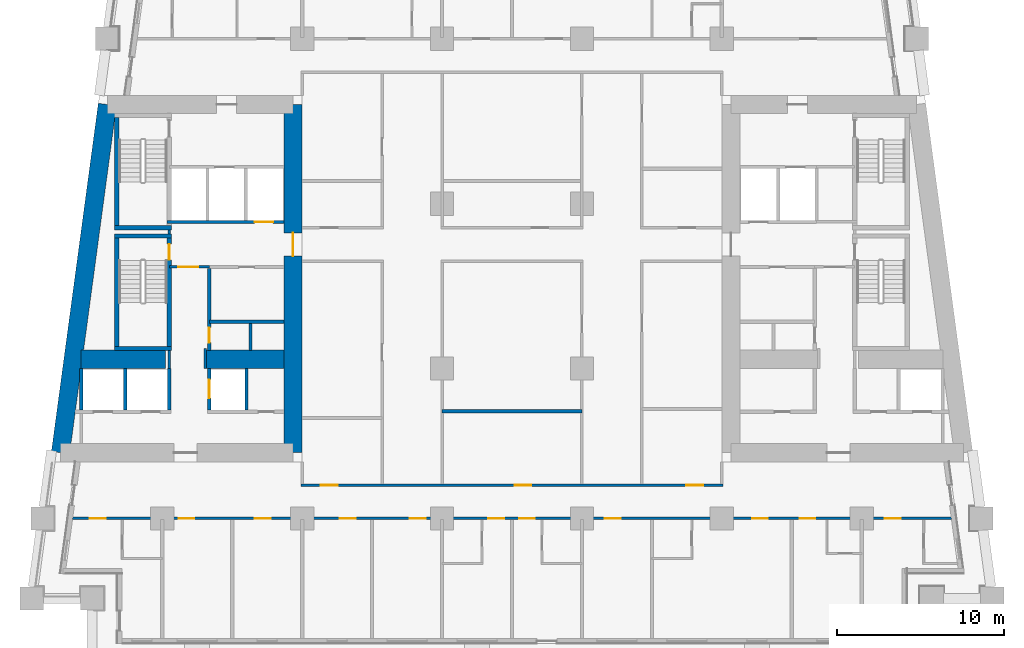
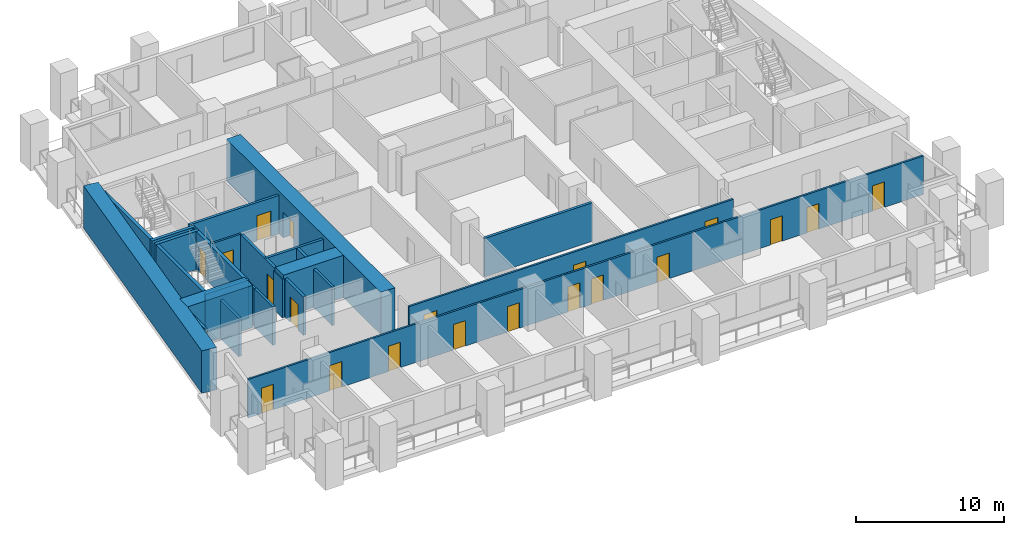
# One storey, part 3 of 12: 26 walls, 20 doors, 20 openings.
"""IFC4 building model written with IfcOpenShell, lengths in metres."""

import ifcopenshell
import ifcopenshell.guid

model = None  # the IFC model being written
_history = None  # IfcOwnerHistory: only IFC2X3 demands one
_inside = {}  # id of a spatial element -> (the spatial element, [elements in it])
_under = {}  # id of a project, library or spatial element -> (it, [spatial elements below it])
_declared = {}  # id of a project -> (the project, [libraries it declares])
_typed = {}  # id of a type object -> (the type object, [elements of that type])
_made_of = {}  # id of a material, layer set ... -> (it, [elements and type objects made of it])


def new_model(schema):
    """Start an empty IFC model of exactly this schema.

    Asked for "IFC4X3", IfcOpenShell would pick the latest addendum, in which some entities
    have other attributes; the version numbers below select the first issue.
    IFC2X3 requires an IfcOwnerHistory on every rooted entity: one is made here for all.
    """
    global model, _history
    if schema == "IFC4X3":
        model = ifcopenshell.file(schema_version=(4, 3, 0, 0))
    else:
        model = ifcopenshell.file(schema=schema)
    _inside.clear()
    _under.clear()
    _declared.clear()
    _typed.clear()
    _made_of.clear()
    _history = None
    if model.schema == "IFC2X3":
        org = make("IfcOrganization", Name="unknown")
        user = make(
            "IfcPersonAndOrganization",
            ThePerson=make("IfcPerson", FamilyName="unknown"),
            TheOrganization=org,
        )
        app = make(
            "IfcApplication",
            ApplicationDeveloper=org,
            Version="unknown",
            ApplicationFullName="unknown",
            ApplicationIdentifier="unknown",
        )
        _history = make(
            "IfcOwnerHistory",
            OwningUser=user,
            OwningApplication=app,
            ChangeAction="ADDED",
            CreationDate=0,
        )
    return model


def make(cls, **values):
    """One entity of the class cls with the attributes given. An attribute that is None is left unset."""
    return model.create_entity(
        cls, **{name: value for name, value in values.items() if value is not None}
    )


def rooted(cls, **values):
    """An entity with a GlobalId (a new one), such as an element, a storey or a relation."""
    return make(cls, GlobalId=ifcopenshell.guid.new(), OwnerHistory=_history, **values)


def si_unit(unit_type, name, prefix=None):
    """IfcSIUnit, for example si_unit("LENGTHUNIT", "METRE", prefix="MILLI")."""
    return make("IfcSIUnit", UnitType=unit_type, Prefix=prefix, Name=name)


def assignment(units):
    """IfcUnitAssignment: the units of a project."""
    return None if units is None else make("IfcUnitAssignment", Units=units)


def point(xyz):
    """IfcCartesianPoint."""
    return None if xyz is None else make("IfcCartesianPoint", Coordinates=xyz)


def direction(xyz):
    """IfcDirection."""
    return None if xyz is None else make("IfcDirection", DirectionRatios=xyz)


def frame(location, z_axis=None, x_axis=None):
    """IfcAxis2Placement3D, a coordinate frame: its origin and axes. An axis left out is left unset."""
    return make(
        "IfcAxis2Placement3D",
        Location=point(location),
        Axis=direction(z_axis),
        RefDirection=direction(x_axis),
    )


def frame_2d(location, x_axis=None):
    """IfcAxis2Placement2D, a coordinate frame in the plane: its origin and x axis."""
    return make(
        "IfcAxis2Placement2D", Location=point(location), RefDirection=direction(x_axis)
    )


def origin():
    """The frame at (0, 0, 0) with its axes left unset."""
    return frame((0.0, 0.0, 0.0))


def place(relative_to, where):
    """IfcLocalPlacement: puts the frame where relative to a parent placement (None: the world)."""
    return make(
        "IfcLocalPlacement", PlacementRelTo=relative_to, RelativePlacement=where
    )


def context(
    kind, dimensions, precision=None, world=None, true_north=None, identifier=None
):
    """IfcGeometricRepresentationContext, for example the 3D "Model" context."""
    return make(
        "IfcGeometricRepresentationContext",
        ContextIdentifier=identifier,
        ContextType=kind,
        CoordinateSpaceDimension=dimensions,
        Precision=precision,
        WorldCoordinateSystem=world,
        TrueNorth=true_north,
    )


def subcontext(parent, identifier, kind, view, scale=None):
    """IfcGeometricRepresentationSubContext, for example "Body" below "Model"."""
    return make(
        "IfcGeometricRepresentationSubContext",
        ContextIdentifier=identifier,
        ContextType=kind,
        ParentContext=parent,
        TargetScale=scale,
        TargetView=view,
    )


def project(units=None, contexts=None):
    """IfcProject with its units and contexts."""
    return rooted(
        "IfcProject",
        Name="project",
        RepresentationContexts=contexts,
        UnitsInContext=assignment(units),
    )


def spatial(cls, under=None, at=None, **own):
    """A site, building, storey or space (cls), placed at a placement, below another one or the project."""
    s = rooted(cls, ObjectPlacement=at, **own)
    if under is not None:
        _under.setdefault(under.id(), (under, []))[1].append(s)
    return s


def profile(cls, at=None, kind="AREA", **sizes):
    """A parametric profile (cls). Its sizes go by their IFC names, for example OverallWidth=200.0."""
    return make(cls, ProfileType=kind, Position=at, **sizes)


def rectangle(**sizes):
    """IfcRectangleProfileDef."""
    return profile("IfcRectangleProfileDef", **sizes)


def extrude(swept, where, along, depth):
    """IfcExtrudedAreaSolid: the profile swept, set in the frame where, extruded along a direction by depth."""
    return make(
        "IfcExtrudedAreaSolid",
        SweptArea=swept,
        Position=where,
        ExtrudedDirection=direction(along),
        Depth=depth,
    )


def shape(context_of_items, identifier, shape_type, items):
    """IfcShapeRepresentation: the items that make up one representation, for example the "Body"."""
    return make(
        "IfcShapeRepresentation",
        ContextOfItems=context_of_items,
        RepresentationIdentifier=identifier,
        RepresentationType=shape_type,
        Items=items,
    )


def material(Name=None, Category=None):
    """IfcMaterial."""
    return make("IfcMaterial", Name=Name, Category=Category)


def layer(
    of_material, thickness, ventilated=None, Name=None, Category=None, Priority=None
):
    """IfcMaterialLayer: one layer of a wall or slab, of a material (None: an air gap)."""
    return make(
        "IfcMaterialLayer",
        Material=of_material,
        LayerThickness=thickness,
        IsVentilated=ventilated,
        Name=Name,
        Category=Category,
        Priority=Priority,
    )


def layer_set(layers, Name=None):
    """IfcMaterialLayerSet."""
    return make("IfcMaterialLayerSet", MaterialLayers=layers, LayerSetName=Name)


def made_of(thing, what):
    """Note that an element or type object is made of a material, layer set ...; save() writes the relation."""
    if what is not None:
        _made_of.setdefault(what.id(), (what, []))[1].append(thing)
    return thing


def type_object(cls, material=None, **own):
    """A type object (cls), such as IfcWallType, which elements share."""
    return made_of(rooted(cls, **own), material)


def element(
    cls,
    number,
    at=None,
    inside=None,
    cuts=None,
    type_object=None,
    material=None,
    context=None,
    identifier="Body",
    shape_type=None,
    held_by="IfcProductDefinitionShape",
    body=None,
    shapes=None,
    **own,
):
    """One element of the class cls, such as IfcWall. Its Tag is "e" and its number.

    at: its placement. inside: the storey or other place that contains it. cuts: it is an
    opening in that element (IfcRelVoidsElement). A single representation is given by context,
    identifier, shape_type and body (its items); several are given by shapes. held_by: the class
    of the entity that holds the representations. save() writes the other relations.
    """
    e = rooted(cls, Tag="e%d" % number, ObjectPlacement=at, **own)
    if body is not None:
        shapes = [shape(context, identifier, shape_type, body)]
    if shapes is not None:
        e.Representation = make(held_by, Representations=shapes)
    if inside is not None:
        _inside.setdefault(inside.id(), (inside, []))[1].append(e)
    if cuts is not None:
        rooted(
            "IfcRelVoidsElement", RelatingBuildingElement=cuts, RelatedOpeningElement=e
        )
    if type_object is not None:
        _typed.setdefault(type_object.id(), (type_object, []))[1].append(e)
    return made_of(e, material)


def fill(opening, filler):
    """IfcRelFillsElement: the door or window that sits in an opening."""
    return rooted(
        "IfcRelFillsElement",
        RelatingOpeningElement=opening,
        RelatedBuildingElement=filler,
    )


def aggregate(whole, parts):
    """IfcRelAggregates: a whole, such as a stair, and the parts it consists of."""
    return rooted("IfcRelAggregates", RelatingObject=whole, RelatedObjects=parts)


def save(model, path):
    """Write the relations noted so far, then the file.

    IfcRelAggregates (storeys below a building ...), IfcRelContainedInSpatialStructure (elements
    in a storey), IfcRelDefinesByType, IfcRelAssociatesMaterial and IfcRelDeclares: one each for
    every whole, place, type object, material and project.
    """
    for whole, parts in _under.values():
        aggregate(whole, parts)
    for where, things in _inside.values():
        rooted(
            "IfcRelContainedInSpatialStructure",
            RelatedElements=things,
            RelatingStructure=where,
        )
    for kind, things in _typed.values():
        rooted("IfcRelDefinesByType", RelatedObjects=things, RelatingType=kind)
    for what, things in _made_of.values():
        rooted("IfcRelAssociatesMaterial", RelatedObjects=things, RelatingMaterial=what)
    for by, libraries in _declared.values():
        rooted("IfcRelDeclares", RelatingContext=by, RelatedDefinitions=libraries)
    model.write(path)


model = new_model("IFC4")

# Units and contexts
model_context = context("Model", 3, precision=1e-05, world=origin(), true_north=direction((0.0, 1.0)))
body_context = subcontext(model_context, "Body", "Model", "MODEL_VIEW")
ifc_project = project(units=[si_unit("LENGTHUNIT", "METRE"), si_unit("AREAUNIT", "SQUARE_METRE"), si_unit("VOLUMEUNIT", "CUBIC_METRE"), si_unit("PLANEANGLEUNIT", "RADIAN"), si_unit("MASSUNIT", "GRAM", prefix="KILO")], contexts=[model_context])

# Site, building, storey
site_placement = place(None, origin())
site = spatial("IfcSite", under=ifc_project, at=site_placement, CompositionType="ELEMENT")
building_placement = place(site_placement, origin())
building = spatial("IfcBuilding", under=site, at=building_placement, Name="Candeia Pilgrim Tower and Theatre", CompositionType="ELEMENT")
storey_placement = place(building_placement, frame((0.0, 0.0, 39.0)))
storey = spatial("IfcBuildingStorey", under=building, at=storey_placement, Name="L06", CompositionType="ELEMENT", Elevation=39.0)

# Wall, opening, door
ifc_material_1 = material(Name="Concrete C80/95", Category="concrete")
ifc_layer_1 = layer(ifc_material_1, 1.10009765625)
ifc_layer_set_1 = layer_set([ifc_layer_1], Name="Core wall 1100 C80/95")
wall_type_1 = type_object("IfcWallType", Name="Core wall 1100 C80/95", PredefinedType="SHEAR", material=ifc_layer_set_1)
wall_1_placement = place(storey_placement, frame((100.25, 131.85009765625, 0.0), z_axis=(0.0, 0.0, 1.0), x_axis=(0.0, -1.0, 0.0)))
wall_1 = element("IfcWall", 1, at=wall_1_placement, inside=storey, type_object=wall_type_1, Name="Core wall W2", PredefinedType="SHEAR", context=body_context, shape_type="SweptSolid", body=[
    extrude(rectangle(XDim=20.900146484375, YDim=1.10009765625, at=frame_2d((10.4501953125, 0.0))), origin(), (0.0, 0.0, 1.0), 3.5),
])
opening_1_placement = place(wall_1_placement, frame((7.699951171875, 0.0, 0.0)))
opening_1 = element("IfcOpeningElement", 2, at=opening_1_placement, cuts=wall_1, Name="Opening L06-D055", PredefinedType="OPENING", context=body_context, shape_type="SweptSolid", body=[
    extrude(rectangle(XDim=1.39990234375, YDim=2.10009765625, at=frame_2d((0.699951171875, 1.050048828125))), frame((0.0, 0.56005859375, 0.0), z_axis=(0.0, -1.0, 0.0), x_axis=(1.0, 0.0, 0.0)), (0.0, 0.0, 1.0), 1.1201171875),
])
ifc_material_2 = material(Name="Steel fire door set", Category="steel")
door_type_1 = type_object("IfcDoorType", Name="D-1400-FD60", OperationType="NOTDEFINED", PredefinedType="DOOR", material=ifc_material_2)
door_1_placement = place(opening_1_placement, origin())
door_1 = element("IfcDoor", 3, at=door_1_placement, inside=storey, type_object=door_type_1, Name="Door L06-D055", OperationType="SINGLE_SWING_LEFT", OverallHeight=2.10009765625, OverallWidth=1.39990234375, PredefinedType="DOOR", context=body_context, shape_type="SweptSolid", body=[
    extrude(rectangle(XDim=1.39990234375, YDim=2.10009765625, at=frame_2d((0.699951171875, 1.050048828125))), frame((0.0, 0.02490234375, 0.0), z_axis=(0.0, -1.0, 0.0), x_axis=(1.0, 0.0, 0.0)), (0.0, 0.0, 1.0), 0.050048828125),
])
fill(opening_1, door_1)

# Walls
wall_2_placement = place(storey_placement, frame((86.29833984375, 110.949951171875, 0.0), z_axis=(0.0, 0.0, 1.0), x_axis=(0.133400422634, 0.99106222168, 0.0)))
element("IfcWall", 4, at=wall_2_placement, inside=storey, type_object=wall_type_1, Name="Core wall W4", PredefinedType="SHEAR", context=body_context, shape_type="SweptSolid", body=[
    extrude(rectangle(XDim=21.088623046875, YDim=1.10009765625, at=frame_2d((10.54443359375, 0.0))), origin(), (0.0, 0.0, 1.0), 3.5),
])
wall_3_placement = place(storey_placement, frame((87.523193359375, 116.550048828125, 0.0), z_axis=(0.0, 0.0, 1.0), x_axis=(1.0, 0.0, 0.0)))
element("IfcWall", 5, at=wall_3_placement, inside=storey, type_object=wall_type_1, Name="Core wall W5", PredefinedType="SHEAR", context=body_context, shape_type="SweptSolid", body=[
    extrude(rectangle(XDim=5.076904296875, YDim=1.10009765625, at=frame_2d((2.53857421875, 0.0))), origin(), (0.0, 0.0, 1.0), 3.5),
])
wall_4_placement = place(storey_placement, frame((95.0, 116.550048828125, 0.0), z_axis=(0.0, 0.0, 1.0), x_axis=(1.0, 0.0, 0.0)))
element("IfcWall", 6, at=wall_4_placement, inside=storey, type_object=wall_type_1, Name="Core wall W6", PredefinedType="SHEAR", context=body_context, shape_type="SweptSolid", body=[
    extrude(rectangle(XDim=4.699951171875, YDim=1.10009765625, at=frame_2d((2.35009765625, 0.0))), origin(), (0.0, 0.0, 1.0), 3.5),
])

# Wall, opening, door
ifc_material_3 = material(Name="Gypsum board partition on steel studs", Category="steel")
ifc_layer_2 = layer(ifc_material_3, 0.14990234375)
ifc_layer_set_2 = layer_set([ifc_layer_2], Name="PW-150 lobby wall")
wall_type_2 = type_object("IfcWallType", Name="PW-150 lobby wall", PredefinedType="PARTITIONING", material=ifc_layer_set_2)
wall_5_placement = place(storey_placement, frame((92.826904296875, 122.10009765625, 0.0), z_axis=(0.0, 0.0, 1.0), x_axis=(1.0, 0.0, 0.0)))
wall_5 = element("IfcWall", 7, at=wall_5_placement, inside=storey, type_object=wall_type_2, Name="Lobby wall L06-022", PredefinedType="PARTITIONING", context=body_context, shape_type="SweptSolid", body=[
    extrude(rectangle(XDim=2.400146484375, YDim=0.14990234375, at=frame_2d((1.2001953125, 0.0))), origin(), (0.0, 0.0, 1.0), 3.179931640625),
])
opening_2_placement = place(wall_5_placement, frame((0.550048828125, 0.0, 0.0)))
opening_2 = element("IfcOpeningElement", 8, at=opening_2_placement, cuts=wall_5, Name="Opening L06-D001", PredefinedType="OPENING", context=body_context, shape_type="SweptSolid", body=[
    extrude(rectangle(XDim=1.199951171875, YDim=2.10009765625, at=frame_2d((0.60009765625, 1.050048828125))), frame((0.0, 0.0849609375, 0.0), z_axis=(0.0, -1.0, 0.0), x_axis=(1.0, 0.0, 0.0)), (0.0, 0.0, 1.0), 0.169921875),
])
door_type_2 = type_object("IfcDoorType", Name="D-1200-FD60", OperationType="NOTDEFINED", PredefinedType="DOOR", material=ifc_material_2)
door_2_placement = place(opening_2_placement, origin())
door_2 = element("IfcDoor", 9, at=door_2_placement, inside=storey, type_object=door_type_2, Name="Door L06-D001", OperationType="SINGLE_SWING_LEFT", OverallHeight=2.10009765625, OverallWidth=1.199951171875, PredefinedType="DOOR", context=body_context, shape_type="SweptSolid", body=[
    extrude(rectangle(XDim=1.199951171875, YDim=2.10009765625, at=frame_2d((0.60009765625, 1.050048828125))), frame((0.0, 0.02490234375, 0.0), z_axis=(0.0, -1.0, 0.0), x_axis=(1.0, 0.0, 0.0)), (0.0, 0.0, 1.0), 0.050048828125),
])
fill(opening_2, door_2)

# Walls
wall_6_placement = place(storey_placement, frame((92.826904296875, 116.0, 0.0), z_axis=(0.0, 0.0, 1.0), x_axis=(0.0, 1.0, 0.0)))
element("IfcWall", 10, at=wall_6_placement, inside=storey, type_object=wall_type_2, Name="Lobby wall L06-058", PredefinedType="PARTITIONING", context=body_context, shape_type="SweptSolid", body=[
    extrude(rectangle(XDim=1.070068359375, YDim=0.14990234375, at=frame_2d((0.53515625, 0.0))), origin(), (0.0, 0.0, 1.0), 3.179931640625),
])
wall_7_placement = place(storey_placement, frame((92.826904296875, 124.074951171875, 0.0), z_axis=(0.0, 0.0, 1.0), x_axis=(0.0, 1.0, 0.0)))
element("IfcWall", 11, at=wall_7_placement, inside=storey, type_object=wall_type_2, Name="Lobby wall L06-059", PredefinedType="PARTITIONING", context=body_context, shape_type="SweptSolid", body=[
    extrude(rectangle(XDim=0.25, YDim=0.14990234375, at=frame_2d((0.125, 0.0))), origin(), (0.0, 0.0, 1.0), 3.179931640625),
])
wall_8_placement = place(storey_placement, frame((95.0, 116.0, 0.0), z_axis=(0.0, 0.0, 1.0), x_axis=(0.0, 1.0, 0.0)))
element("IfcWall", 12, at=wall_8_placement, inside=storey, type_object=wall_type_2, Name="Lobby wall L06-063", PredefinedType="PARTITIONING", context=body_context, shape_type="SweptSolid", body=[
    extrude(rectangle(XDim=1.199951171875, YDim=0.14990234375, at=frame_2d((0.60009765625, 0.0))), origin(), (0.0, 0.0, 1.0), 3.179931640625),
])

# Wall, openings, doors
ifc_layer_3 = layer(ifc_material_3, 0.14990234375)
ifc_layer_set_3 = layer_set([ifc_layer_3], Name="PW-150 unit wall")
wall_type_3 = type_object("IfcWallType", Name="PW-150 unit wall", PredefinedType="PARTITIONING", material=ifc_layer_set_3)
wall_9_placement = place(storey_placement, frame((87.017578125, 107.0, 0.0), z_axis=(0.0, 0.0, 1.0), x_axis=(1.0, 0.0, 0.0)))
wall_9 = element("IfcWall", 13, at=wall_9_placement, inside=storey, type_object=wall_type_3, Name="Unit wall L06-007", PredefinedType="PARTITIONING", context=body_context, shape_type="SweptSolid", body=[
    extrude(rectangle(XDim=52.7646484375, YDim=0.14990234375, at=frame_2d((26.38232421875, 0.0))), origin(), (0.0, 0.0, 1.0), 3.179931640625),
])
opening_3_placement = place(wall_9_placement, frame((1.0322265625, 0.0, 0.0)))
opening_3 = element("IfcOpeningElement", 14, at=opening_3_placement, cuts=wall_9, Name="Opening L06-D014", PredefinedType="OPENING", context=body_context, shape_type="SweptSolid", body=[
    extrude(rectangle(XDim=0.949951171875, YDim=2.10009765625, at=frame_2d((0.47509765625, 1.050048828125))), frame((0.0, 0.0849609375, 0.0), z_axis=(0.0, -1.0, 0.0), x_axis=(1.0, 0.0, 0.0)), (0.0, 0.0, 1.0), 0.169921875),
])
opening_4_placement = place(wall_9_placement, frame((6.369384765625, 0.0, 0.0)))
opening_4 = element("IfcOpeningElement", 15, at=opening_4_placement, cuts=wall_9, Name="Opening L06-D016", PredefinedType="OPENING", context=body_context, shape_type="SweptSolid", body=[
    extrude(rectangle(XDim=0.949951171875, YDim=2.10009765625, at=frame_2d((0.47509765625, 1.050048828125))), frame((0.0, 0.0849609375, 0.0), z_axis=(0.0, -1.0, 0.0), x_axis=(1.0, 0.0, 0.0)), (0.0, 0.0, 1.0), 0.169921875),
])
opening_5_placement = place(wall_9_placement, frame((10.952392578125, 0.0, 0.0)))
opening_5 = element("IfcOpeningElement", 16, at=opening_5_placement, cuts=wall_9, Name="Opening L06-D017", PredefinedType="OPENING", context=body_context, shape_type="SweptSolid", body=[
    extrude(rectangle(XDim=0.949951171875, YDim=2.10009765625, at=frame_2d((0.47509765625, 1.050048828125))), frame((0.0, 0.0849609375, 0.0), z_axis=(0.0, -1.0, 0.0), x_axis=(1.0, 0.0, 0.0)), (0.0, 0.0, 1.0), 0.169921875),
])
opening_6_placement = place(wall_9_placement, frame((16.04541015625, 0.0, 0.0)))
opening_6 = element("IfcOpeningElement", 17, at=opening_6_placement, cuts=wall_9, Name="Opening L06-D018", PredefinedType="OPENING", context=body_context, shape_type="SweptSolid", body=[
    extrude(rectangle(XDim=0.949951171875, YDim=2.10009765625, at=frame_2d((0.47509765625, 1.050048828125))), frame((0.0, 0.0849609375, 0.0), z_axis=(0.0, -1.0, 0.0), x_axis=(1.0, 0.0, 0.0)), (0.0, 0.0, 1.0), 0.169921875),
])
opening_7_placement = place(wall_9_placement, frame((20.245361328125, 0.0, 0.0)))
opening_7 = element("IfcOpeningElement", 18, at=opening_7_placement, cuts=wall_9, Name="Opening L06-D019", PredefinedType="OPENING", context=body_context, shape_type="SweptSolid", body=[
    extrude(rectangle(XDim=0.949951171875, YDim=2.10009765625, at=frame_2d((0.47509765625, 1.050048828125))), frame((0.0, 0.0849609375, 0.0), z_axis=(0.0, -1.0, 0.0), x_axis=(1.0, 0.0, 0.0)), (0.0, 0.0, 1.0), 0.169921875),
])
opening_8_placement = place(wall_9_placement, frame((24.96923828125, 0.0, 0.0)))
opening_8 = element("IfcOpeningElement", 19, at=opening_8_placement, cuts=wall_9, Name="Opening L06-D020", PredefinedType="OPENING", context=body_context, shape_type="SweptSolid", body=[
    extrude(rectangle(XDim=0.949951171875, YDim=2.10009765625, at=frame_2d((0.47509765625, 1.050048828125))), frame((0.0, 0.0849609375, 0.0), z_axis=(0.0, -1.0, 0.0), x_axis=(1.0, 0.0, 0.0)), (0.0, 0.0, 1.0), 0.169921875),
])
opening_9_placement = place(wall_9_placement, frame((26.807373046875, 0.0, 0.0)))
opening_9 = element("IfcOpeningElement", 20, at=opening_9_placement, cuts=wall_9, Name="Opening L06-D022", PredefinedType="OPENING", context=body_context, shape_type="SweptSolid", body=[
    extrude(rectangle(XDim=0.949951171875, YDim=2.10009765625, at=frame_2d((0.47509765625, 1.050048828125))), frame((0.0, 0.0849609375, 0.0), z_axis=(0.0, -1.0, 0.0), x_axis=(1.0, 0.0, 0.0)), (0.0, 0.0, 1.0), 0.169921875),
])
opening_10_placement = place(wall_9_placement, frame((31.952392578125, 0.0, 0.0)))
opening_10 = element("IfcOpeningElement", 21, at=opening_10_placement, cuts=wall_9, Name="Opening L06-D024", PredefinedType="OPENING", context=body_context, shape_type="SweptSolid", body=[
    extrude(rectangle(XDim=0.949951171875, YDim=2.10009765625, at=frame_2d((0.47509765625, 1.050048828125))), frame((0.0, 0.0849609375, 0.0), z_axis=(0.0, -1.0, 0.0), x_axis=(1.0, 0.0, 0.0)), (0.0, 0.0, 1.0), 0.169921875),
])
opening_11_placement = place(wall_9_placement, frame((40.79541015625, 0.0, 0.0)))
opening_11 = element("IfcOpeningElement", 22, at=opening_11_placement, cuts=wall_9, Name="Opening L06-D025", PredefinedType="OPENING", context=body_context, shape_type="SweptSolid", body=[
    extrude(rectangle(XDim=0.949951171875, YDim=2.10009765625, at=frame_2d((0.47509765625, 1.050048828125))), frame((0.0, 0.0849609375, 0.0), z_axis=(0.0, -1.0, 0.0), x_axis=(1.0, 0.0, 0.0)), (0.0, 0.0, 1.0), 0.169921875),
])
opening_12_placement = place(wall_9_placement, frame((43.644287109375, 0.0, 0.0)))
opening_12 = element("IfcOpeningElement", 23, at=opening_12_placement, cuts=wall_9, Name="Opening L06-D027", PredefinedType="OPENING", context=body_context, shape_type="SweptSolid", body=[
    extrude(rectangle(XDim=0.949951171875, YDim=2.10009765625, at=frame_2d((0.47509765625, 1.050048828125))), frame((0.0, 0.0849609375, 0.0), z_axis=(0.0, -1.0, 0.0), x_axis=(1.0, 0.0, 0.0)), (0.0, 0.0, 1.0), 0.169921875),
])
opening_13_placement = place(wall_9_placement, frame((48.767333984375, 0.0, 0.0)))
opening_13 = element("IfcOpeningElement", 24, at=opening_13_placement, cuts=wall_9, Name="Opening L06-D029", PredefinedType="OPENING", context=body_context, shape_type="SweptSolid", body=[
    extrude(rectangle(XDim=0.949951171875, YDim=2.10009765625, at=frame_2d((0.47509765625, 1.050048828125))), frame((0.0, 0.0849609375, 0.0), z_axis=(0.0, -1.0, 0.0), x_axis=(1.0, 0.0, 0.0)), (0.0, 0.0, 1.0), 0.169921875),
])
door_type_3 = type_object("IfcDoorType", Name="D-950-FD30S", OperationType="NOTDEFINED", PredefinedType="DOOR", material=ifc_material_2)
door_3_placement = place(opening_3_placement, origin())
door_3 = element("IfcDoor", 25, at=door_3_placement, inside=storey, type_object=door_type_3, Name="Door L06-D014", OperationType="SINGLE_SWING_RIGHT", OverallHeight=2.10009765625, OverallWidth=0.949951171875, PredefinedType="DOOR", context=body_context, shape_type="SweptSolid", body=[
    extrude(rectangle(XDim=0.949951171875, YDim=2.10009765625, at=frame_2d((0.47509765625, 1.050048828125))), frame((0.0, 0.02490234375, 0.0), z_axis=(0.0, -1.0, 0.0), x_axis=(1.0, 0.0, 0.0)), (0.0, 0.0, 1.0), 0.050048828125),
])
fill(opening_3, door_3)
door_4_placement = place(opening_4_placement, origin())
door_4 = element("IfcDoor", 26, at=door_4_placement, inside=storey, type_object=door_type_3, Name="Door L06-D016", OperationType="SINGLE_SWING_RIGHT", OverallHeight=2.10009765625, OverallWidth=0.949951171875, PredefinedType="DOOR", context=body_context, shape_type="SweptSolid", body=[
    extrude(rectangle(XDim=0.949951171875, YDim=2.10009765625, at=frame_2d((0.47509765625, 1.050048828125))), frame((0.0, 0.02490234375, 0.0), z_axis=(0.0, -1.0, 0.0), x_axis=(1.0, 0.0, 0.0)), (0.0, 0.0, 1.0), 0.050048828125),
])
fill(opening_4, door_4)
door_5_placement = place(opening_5_placement, origin())
door_5 = element("IfcDoor", 27, at=door_5_placement, inside=storey, type_object=door_type_3, Name="Door L06-D017", OperationType="SINGLE_SWING_LEFT", OverallHeight=2.10009765625, OverallWidth=0.949951171875, PredefinedType="DOOR", context=body_context, shape_type="SweptSolid", body=[
    extrude(rectangle(XDim=0.949951171875, YDim=2.10009765625, at=frame_2d((0.47509765625, 1.050048828125))), frame((0.0, 0.02490234375, 0.0), z_axis=(0.0, -1.0, 0.0), x_axis=(1.0, 0.0, 0.0)), (0.0, 0.0, 1.0), 0.050048828125),
])
fill(opening_5, door_5)
door_6_placement = place(opening_6_placement, origin())
door_6 = element("IfcDoor", 28, at=door_6_placement, inside=storey, type_object=door_type_3, Name="Door L06-D018", OperationType="SINGLE_SWING_RIGHT", OverallHeight=2.10009765625, OverallWidth=0.949951171875, PredefinedType="DOOR", context=body_context, shape_type="SweptSolid", body=[
    extrude(rectangle(XDim=0.949951171875, YDim=2.10009765625, at=frame_2d((0.47509765625, 1.050048828125))), frame((0.0, 0.02490234375, 0.0), z_axis=(0.0, -1.0, 0.0), x_axis=(1.0, 0.0, 0.0)), (0.0, 0.0, 1.0), 0.050048828125),
])
fill(opening_6, door_6)
door_7_placement = place(opening_7_placement, origin())
door_7 = element("IfcDoor", 29, at=door_7_placement, inside=storey, type_object=door_type_3, Name="Door L06-D019", OperationType="SINGLE_SWING_LEFT", OverallHeight=2.10009765625, OverallWidth=0.949951171875, PredefinedType="DOOR", context=body_context, shape_type="SweptSolid", body=[
    extrude(rectangle(XDim=0.949951171875, YDim=2.10009765625, at=frame_2d((0.47509765625, 1.050048828125))), frame((0.0, 0.02490234375, 0.0), z_axis=(0.0, -1.0, 0.0), x_axis=(1.0, 0.0, 0.0)), (0.0, 0.0, 1.0), 0.050048828125),
])
fill(opening_7, door_7)
door_8_placement = place(opening_8_placement, origin())
door_8 = element("IfcDoor", 30, at=door_8_placement, inside=storey, type_object=door_type_3, Name="Door L06-D020", OperationType="SINGLE_SWING_RIGHT", OverallHeight=2.10009765625, OverallWidth=0.949951171875, PredefinedType="DOOR", context=body_context, shape_type="SweptSolid", body=[
    extrude(rectangle(XDim=0.949951171875, YDim=2.10009765625, at=frame_2d((0.47509765625, 1.050048828125))), frame((0.0, 0.02490234375, 0.0), z_axis=(0.0, -1.0, 0.0), x_axis=(1.0, 0.0, 0.0)), (0.0, 0.0, 1.0), 0.050048828125),
])
fill(opening_8, door_8)
door_9_placement = place(opening_9_placement, origin())
door_9 = element("IfcDoor", 31, at=door_9_placement, inside=storey, type_object=door_type_3, Name="Door L06-D022", OperationType="SINGLE_SWING_RIGHT", OverallHeight=2.10009765625, OverallWidth=0.949951171875, PredefinedType="DOOR", context=body_context, shape_type="SweptSolid", body=[
    extrude(rectangle(XDim=0.949951171875, YDim=2.10009765625, at=frame_2d((0.47509765625, 1.050048828125))), frame((0.0, 0.02490234375, 0.0), z_axis=(0.0, -1.0, 0.0), x_axis=(1.0, 0.0, 0.0)), (0.0, 0.0, 1.0), 0.050048828125),
])
fill(opening_9, door_9)
door_10_placement = place(opening_10_placement, origin())
door_10 = element("IfcDoor", 32, at=door_10_placement, inside=storey, type_object=door_type_3, Name="Door L06-D024", OperationType="SINGLE_SWING_RIGHT", OverallHeight=2.10009765625, OverallWidth=0.949951171875, PredefinedType="DOOR", context=body_context, shape_type="SweptSolid", body=[
    extrude(rectangle(XDim=0.949951171875, YDim=2.10009765625, at=frame_2d((0.47509765625, 1.050048828125))), frame((0.0, 0.02490234375, 0.0), z_axis=(0.0, -1.0, 0.0), x_axis=(1.0, 0.0, 0.0)), (0.0, 0.0, 1.0), 0.050048828125),
])
fill(opening_10, door_10)
door_11_placement = place(opening_11_placement, origin())
door_11 = element("IfcDoor", 33, at=door_11_placement, inside=storey, type_object=door_type_3, Name="Door L06-D025", OperationType="SINGLE_SWING_LEFT", OverallHeight=2.10009765625, OverallWidth=0.949951171875, PredefinedType="DOOR", context=body_context, shape_type="SweptSolid", body=[
    extrude(rectangle(XDim=0.949951171875, YDim=2.10009765625, at=frame_2d((0.47509765625, 1.050048828125))), frame((0.0, 0.02490234375, 0.0), z_axis=(0.0, -1.0, 0.0), x_axis=(1.0, 0.0, 0.0)), (0.0, 0.0, 1.0), 0.050048828125),
])
fill(opening_11, door_11)
door_12_placement = place(opening_12_placement, origin())
door_12 = element("IfcDoor", 34, at=door_12_placement, inside=storey, type_object=door_type_3, Name="Door L06-D027", OperationType="SINGLE_SWING_LEFT", OverallHeight=2.10009765625, OverallWidth=0.949951171875, PredefinedType="DOOR", context=body_context, shape_type="SweptSolid", body=[
    extrude(rectangle(XDim=0.949951171875, YDim=2.10009765625, at=frame_2d((0.47509765625, 1.050048828125))), frame((0.0, 0.02490234375, 0.0), z_axis=(0.0, -1.0, 0.0), x_axis=(1.0, 0.0, 0.0)), (0.0, 0.0, 1.0), 0.050048828125),
])
fill(opening_12, door_12)
door_13_placement = place(opening_13_placement, origin())
door_13 = element("IfcDoor", 35, at=door_13_placement, inside=storey, type_object=door_type_3, Name="Door L06-D029", OperationType="SINGLE_SWING_LEFT", OverallHeight=2.10009765625, OverallWidth=0.949951171875, PredefinedType="DOOR", context=body_context, shape_type="SweptSolid", body=[
    extrude(rectangle(XDim=0.949951171875, YDim=2.10009765625, at=frame_2d((0.47509765625, 1.050048828125))), frame((0.0, 0.02490234375, 0.0), z_axis=(0.0, -1.0, 0.0), x_axis=(1.0, 0.0, 0.0)), (0.0, 0.0, 1.0), 0.050048828125),
])
fill(opening_13, door_13)

wall_10_placement = place(storey_placement, frame((100.72509765625, 109.0, 0.0), z_axis=(0.0, 0.0, 1.0), x_axis=(1.0, 0.0, 0.0)))
wall_10 = element("IfcWall", 36, at=wall_10_placement, inside=storey, type_object=wall_type_3, Name="Unit wall L06-008", PredefinedType="PARTITIONING", context=body_context, shape_type="SweptSolid", body=[
    extrude(rectangle(XDim=25.349853515625, YDim=0.14990234375, at=frame_2d((12.6748046875, 0.0))), origin(), (0.0, 0.0, 1.0), 3.179931640625),
])
opening_14_placement = place(wall_10_placement, frame((1.199951171875, 0.0, 0.0)))
opening_14 = element("IfcOpeningElement", 37, at=opening_14_placement, cuts=wall_10, Name="Opening L06-D041", PredefinedType="OPENING", context=body_context, shape_type="SweptSolid", body=[
    extrude(rectangle(XDim=1.0, YDim=2.10009765625, at=frame_2d((0.5, 1.050048828125))), frame((0.0, 0.0849609375, 0.0), z_axis=(0.0, -1.0, 0.0), x_axis=(1.0, 0.0, 0.0)), (0.0, 0.0, 1.0), 0.169921875),
])
opening_15_placement = place(wall_10_placement, frame((12.844970703125, 0.0, 0.0)))
opening_15 = element("IfcOpeningElement", 38, at=opening_15_placement, cuts=wall_10, Name="Opening L06-D045", PredefinedType="OPENING", context=body_context, shape_type="SweptSolid", body=[
    extrude(rectangle(XDim=1.0, YDim=2.10009765625, at=frame_2d((0.5, 1.050048828125))), frame((0.0, 0.0849609375, 0.0), z_axis=(0.0, -1.0, 0.0), x_axis=(1.0, 0.0, 0.0)), (0.0, 0.0, 1.0), 0.169921875),
])
opening_16_placement = place(wall_10_placement, frame((23.14990234375, 0.0, 0.0)))
opening_16 = element("IfcOpeningElement", 39, at=opening_16_placement, cuts=wall_10, Name="Opening L06-D049", PredefinedType="OPENING", context=body_context, shape_type="SweptSolid", body=[
    extrude(rectangle(XDim=1.0, YDim=2.10009765625, at=frame_2d((0.5, 1.050048828125))), frame((0.0, 0.0849609375, 0.0), z_axis=(0.0, -1.0, 0.0), x_axis=(1.0, 0.0, 0.0)), (0.0, 0.0, 1.0), 0.169921875),
])
door_type_4 = type_object("IfcDoorType", Name="D-1000-FD30S", OperationType="NOTDEFINED", PredefinedType="DOOR", material=ifc_material_2)
door_14_placement = place(opening_14_placement, origin())
door_14 = element("IfcDoor", 40, at=door_14_placement, inside=storey, type_object=door_type_4, Name="Door L06-D041", OperationType="SINGLE_SWING_LEFT", OverallHeight=2.10009765625, OverallWidth=1.0, PredefinedType="DOOR", context=body_context, shape_type="SweptSolid", body=[
    extrude(rectangle(XDim=1.0, YDim=2.10009765625, at=frame_2d((0.5, 1.050048828125))), frame((0.0, 0.02490234375, 0.0), z_axis=(0.0, -1.0, 0.0), x_axis=(1.0, 0.0, 0.0)), (0.0, 0.0, 1.0), 0.050048828125),
])
fill(opening_14, door_14)
door_15_placement = place(opening_15_placement, origin())
door_15 = element("IfcDoor", 41, at=door_15_placement, inside=storey, type_object=door_type_4, Name="Door L06-D045", OperationType="SINGLE_SWING_LEFT", OverallHeight=2.10009765625, OverallWidth=1.0, PredefinedType="DOOR", context=body_context, shape_type="SweptSolid", body=[
    extrude(rectangle(XDim=1.0, YDim=2.10009765625, at=frame_2d((0.5, 1.050048828125))), frame((0.0, 0.02490234375, 0.0), z_axis=(0.0, -1.0, 0.0), x_axis=(1.0, 0.0, 0.0)), (0.0, 0.0, 1.0), 0.050048828125),
])
fill(opening_15, door_15)
door_16_placement = place(opening_16_placement, origin())
door_16 = element("IfcDoor", 42, at=door_16_placement, inside=storey, type_object=door_type_4, Name="Door L06-D049", OperationType="SINGLE_SWING_LEFT", OverallHeight=2.10009765625, OverallWidth=1.0, PredefinedType="DOOR", context=body_context, shape_type="SweptSolid", body=[
    extrude(rectangle(XDim=1.0, YDim=2.10009765625, at=frame_2d((0.5, 1.050048828125))), frame((0.0, 0.02490234375, 0.0), z_axis=(0.0, -1.0, 0.0), x_axis=(1.0, 0.0, 0.0)), (0.0, 0.0, 1.0), 0.050048828125),
])
fill(opening_16, door_16)

# Walls
ifc_layer_4 = layer(ifc_material_3, 0.199951171875)
ifc_layer_set_4 = layer_set([ifc_layer_4], Name="PW-200 party wall")
wall_type_4 = type_object("IfcWallType", Name="PW-200 party wall", PredefinedType="PARTITIONING", material=ifc_layer_set_4)
wall_11_placement = place(storey_placement, frame((109.199951171875, 113.4384765625, 0.0), z_axis=(0.0, 0.0, 1.0), x_axis=(1.0, 0.0, 0.0)))
element("IfcWall", 43, at=wall_11_placement, inside=storey, type_object=wall_type_4, Name="Party wall L06-014", PredefinedType="PARTITIONING", context=body_context, shape_type="SweptSolid", body=[
    extrude(rectangle(XDim=8.400146484375, YDim=0.199951171875, at=frame_2d((4.2001953125, 0.0))), origin(), (0.0, 0.0, 1.0), 3.179931640625),
])
ifc_material_4 = material(Name="Concrete C40/50", Category="concrete")
ifc_layer_5 = layer(ifc_material_4, 0.199951171875)
ifc_layer_set_5 = layer_set([ifc_layer_5], Name="SW-200 shaft wall")
wall_type_5 = type_object("IfcWallType", Name="SW-200 shaft wall", PredefinedType="PARTITIONING", material=ifc_layer_set_5)
wall_12_placement = place(storey_placement, frame((95.22705078125, 118.800048828125, 0.0), z_axis=(0.0, 0.0, 1.0), x_axis=(1.0, 0.0, 0.0)))
element("IfcWall", 44, at=wall_12_placement, inside=storey, type_object=wall_type_5, Name="Shaft wall L06-018", PredefinedType="PARTITIONING", context=body_context, shape_type="SweptSolid", body=[
    extrude(rectangle(XDim=4.472900390625, YDim=0.199951171875, at=frame_2d((2.236328125, 0.0))), origin(), (0.0, 0.0, 1.0), 3.179931640625),
])

# Wall, opening, door
wall_13_placement = place(storey_placement, frame((92.701904296875, 124.800048828125, 0.0), z_axis=(0.0, 0.0, 1.0), x_axis=(1.0, 0.0, 0.0)))
wall_13 = element("IfcWall", 45, at=wall_13_placement, inside=storey, type_object=wall_type_5, Name="Shaft wall L06-034", PredefinedType="PARTITIONING", context=body_context, shape_type="SweptSolid", body=[
    extrude(rectangle(XDim=6.998046875, YDim=0.199951171875, at=frame_2d((3.4990234375, 0.0))), origin(), (0.0, 0.0, 1.0), 3.179931640625),
])
opening_17_placement = place(wall_13_placement, frame((5.2529296875, 0.0, 0.0)))
opening_17 = element("IfcOpeningElement", 46, at=opening_17_placement, cuts=wall_13, Name="Opening L06-LD02", PredefinedType="OPENING", context=body_context, shape_type="SweptSolid", body=[
    extrude(rectangle(XDim=1.10009765625, YDim=2.10009765625, at=frame_2d((0.550048828125, 1.050048828125))), frame((0.0, 0.10986328125, 0.0), z_axis=(0.0, -1.0, 0.0), x_axis=(1.0, 0.0, 0.0)), (0.0, 0.0, 1.0), 0.219970703125),
])
ifc_material_5 = material(Name="Glazed aluminium landing door", Category="aluminium")
door_type_5 = type_object("IfcDoorType", Name="LD-1100-EI120", OperationType="SLIDING_TO_LEFT", PredefinedType="DOOR", material=ifc_material_5)
door_17_placement = place(opening_17_placement, origin())
door_17 = element("IfcDoor", 47, at=door_17_placement, inside=storey, type_object=door_type_5, Name="Landing door 02 L06", OperationType="SLIDING_TO_LEFT", OverallHeight=2.10009765625, OverallWidth=1.10009765625, PredefinedType="DOOR", context=body_context, shape_type="SweptSolid", body=[
    extrude(rectangle(XDim=1.10009765625, YDim=2.10009765625, at=frame_2d((0.550048828125, 1.050048828125))), frame((0.0, 0.02490234375, 0.0), z_axis=(0.0, -1.0, 0.0), x_axis=(1.0, 0.0, 0.0)), (0.0, 0.0, 1.0), 0.050048828125),
])
fill(opening_17, door_17)

# Walls
for number, where, z_axis, x_axis, name in (
    (48, (87.552001953125, 113.5, 0.0), (0.0, 0.0, 1.0), (0.0, 1.0, 0.0), "Shaft wall L06-050"),
    (49, (90.178466796875, 113.5, 0.0), (0.0, 0.0, 1.0), (0.0, 1.0, 0.0), "Shaft wall L06-055"),
    (50, (92.826904296875, 113.5, 0.0), (0.0, 0.0, 1.0), (0.0, 1.0, 0.0), "Shaft wall L06-057"),
):
    element("IfcWall", number, at=place(storey_placement, frame(where, z_axis=z_axis, x_axis=x_axis)), inside=storey, type_object=wall_type_5, Name=name, PredefinedType="PARTITIONING", context=body_context, shape_type="SweptSolid", body=[
        extrude(rectangle(XDim=2.5, YDim=0.199951171875, at=frame_2d((1.25, 0.0))), origin(), (0.0, 0.0, 1.0), 3.179931640625),
    ])

# Wall, opening, door
wall_14_placement = place(storey_placement, frame((95.22705078125, 113.5, 0.0), z_axis=(0.0, 0.0, 1.0), x_axis=(0.0, 1.0, 0.0)))
wall_14 = element("IfcWall", 51, at=wall_14_placement, inside=storey, type_object=wall_type_5, Name="Shaft wall L06-065", PredefinedType="PARTITIONING", context=body_context, shape_type="SweptSolid", body=[
    extrude(rectangle(XDim=2.5, YDim=0.199951171875, at=frame_2d((1.25, 0.0))), origin(), (0.0, 0.0, 1.0), 3.179931640625),
])
opening_18_placement = place(wall_14_placement, frame((0.72998046875, 0.0, 0.0)))
opening_18 = element("IfcOpeningElement", 52, at=opening_18_placement, cuts=wall_14, Name="Opening L06-LD05", PredefinedType="OPENING", context=body_context, shape_type="SweptSolid", body=[
    extrude(rectangle(XDim=1.10009765625, YDim=2.10009765625, at=frame_2d((0.550048828125, 1.050048828125))), frame((0.0, 0.10986328125, 0.0), z_axis=(0.0, -1.0, 0.0), x_axis=(1.0, 0.0, 0.0)), (0.0, 0.0, 1.0), 0.219970703125),
])
door_18_placement = place(opening_18_placement, origin())
door_18 = element("IfcDoor", 53, at=door_18_placement, inside=storey, type_object=door_type_5, Name="Landing door 05 L06", OperationType="SLIDING_TO_LEFT", OverallHeight=2.10009765625, OverallWidth=1.10009765625, PredefinedType="DOOR", context=body_context, shape_type="SweptSolid", body=[
    extrude(rectangle(XDim=1.10009765625, YDim=2.10009765625, at=frame_2d((0.550048828125, 1.050048828125))), frame((0.0, 0.02490234375, 0.0), z_axis=(0.0, -1.0, 0.0), x_axis=(1.0, 0.0, 0.0)), (0.0, 0.0, 1.0), 0.050048828125),
])
fill(opening_18, door_18)

wall_15_placement = place(storey_placement, frame((95.22705078125, 117.070068359375, 0.0), z_axis=(0.0, 0.0, 1.0), x_axis=(0.0, 1.0, 0.0)))
wall_15 = element("IfcWall", 54, at=wall_15_placement, inside=storey, type_object=wall_type_5, Name="Shaft wall L06-066", PredefinedType="PARTITIONING", context=body_context, shape_type="SweptSolid", body=[
    extrude(rectangle(XDim=4.929931640625, YDim=0.199951171875, at=frame_2d((2.46484375, 0.0))), origin(), (0.0, 0.0, 1.0), 3.179931640625),
])
opening_19_placement = place(wall_15_placement, frame((0.47998046875, 0.0, 0.0)))
opening_19 = element("IfcOpeningElement", 55, at=opening_19_placement, cuts=wall_15, Name="Opening L06-D005", PredefinedType="OPENING", context=body_context, shape_type="SweptSolid", body=[
    extrude(rectangle(XDim=0.89990234375, YDim=2.10009765625, at=frame_2d((0.449951171875, 1.050048828125))), frame((0.0, 0.10986328125, 0.0), z_axis=(0.0, -1.0, 0.0), x_axis=(1.0, 0.0, 0.0)), (0.0, 0.0, 1.0), 0.219970703125),
])
door_type_6 = type_object("IfcDoorType", Name="D-900-FD60", OperationType="NOTDEFINED", PredefinedType="DOOR", material=ifc_material_2)
door_19_placement = place(opening_19_placement, origin())
door_19 = element("IfcDoor", 56, at=door_19_placement, inside=storey, type_object=door_type_6, Name="Door L06-D005", OperationType="SINGLE_SWING_LEFT", OverallHeight=2.10009765625, OverallWidth=0.89990234375, PredefinedType="DOOR", context=body_context, shape_type="SweptSolid", body=[
    extrude(rectangle(XDim=0.89990234375, YDim=2.10009765625, at=frame_2d((0.449951171875, 1.050048828125))), frame((0.0, 0.02490234375, 0.0), z_axis=(0.0, -1.0, 0.0), x_axis=(1.0, 0.0, 0.0)), (0.0, 0.0, 1.0), 0.050048828125),
])
fill(opening_19, door_19)

# Walls
wall_16_placement = place(storey_placement, frame((97.46337890625, 113.5, 0.0), z_axis=(0.0, 0.0, 1.0), x_axis=(0.0, 1.0, 0.0)))
element("IfcWall", 57, at=wall_16_placement, inside=storey, type_object=wall_type_5, Name="Shaft wall L06-070", PredefinedType="PARTITIONING", context=body_context, shape_type="SweptSolid", body=[
    extrude(rectangle(XDim=2.5, YDim=0.199951171875, at=frame_2d((1.25, 0.0))), origin(), (0.0, 0.0, 1.0), 3.179931640625),
])
wall_17_placement = place(storey_placement, frame((97.699951171875, 117.070068359375, 0.0), z_axis=(0.0, 0.0, 1.0), x_axis=(0.0, 1.0, 0.0)))
element("IfcWall", 58, at=wall_17_placement, inside=storey, type_object=wall_type_5, Name="Shaft wall L06-071", PredefinedType="PARTITIONING", context=body_context, shape_type="SweptSolid", body=[
    extrude(rectangle(XDim=1.6298828125, YDim=0.199951171875, at=frame_2d((0.81494140625, 0.0))), origin(), (0.0, 0.0, 1.0), 3.179931640625),
])
ifc_layer_6 = layer(ifc_material_4, 0.25)
ifc_layer_set_6 = layer_set([ifc_layer_6], Name="SW-250 stair wall")
wall_type_6 = type_object("IfcWallType", Name="SW-250 stair wall", PredefinedType="PARTITIONING", material=ifc_layer_set_6)
for number, where, z_axis, x_axis, name in (
    (59, (89.552001953125, 117.199951171875, 0.0), (0.0, 0.0, 1.0), (1.0, 0.0, 0.0), "Stair wall L06-016"),
    (60, (89.552001953125, 123.949951171875, 0.0), (0.0, 0.0, 1.0), (1.0, 0.0, 0.0), "Stair wall L06-027"),
    (61, (89.552001953125, 124.449951171875, 0.0), (0.0, 0.0, 1.0), (1.0, 0.0, 0.0), "Stair wall L06-029"),
):
    element("IfcWall", number, at=place(storey_placement, frame(where, z_axis=z_axis, x_axis=x_axis)), inside=storey, type_object=wall_type_6, Name=name, PredefinedType="PARTITIONING", context=body_context, shape_type="SweptSolid", body=[
        extrude(rectangle(XDim=3.39990234375, YDim=0.25, at=frame_2d((1.699951171875, 0.0))), origin(), (0.0, 0.0, 1.0), 3.179931640625),
    ])
wall_18_placement = place(storey_placement, frame((89.677001953125, 117.070068359375, 0.0), z_axis=(0.0, 0.0, 1.0), x_axis=(0.0, 1.0, 0.0)))
element("IfcWall", 62, at=wall_18_placement, inside=storey, type_object=wall_type_6, Name="Stair wall L06-052", PredefinedType="PARTITIONING", context=body_context, shape_type="SweptSolid", body=[
    extrude(rectangle(XDim=6.7548828125, YDim=0.25, at=frame_2d((3.37744140625, 0.0))), origin(), (0.0, 0.0, 1.0), 3.179931640625),
])
wall_19_placement = place(storey_placement, frame((89.677001953125, 124.574951171875, 0.0), z_axis=(0.0, 0.0, 1.0), x_axis=(0.0, 1.0, 0.0)))
element("IfcWall", 63, at=wall_19_placement, inside=storey, type_object=wall_type_6, Name="Stair wall L06-053", PredefinedType="PARTITIONING", context=body_context, shape_type="SweptSolid", body=[
    extrude(rectangle(XDim=6.5, YDim=0.25, at=frame_2d((3.25, 0.0))), origin(), (0.0, 0.0, 1.0), 3.179931640625),
])

# Wall, opening, door
wall_20_placement = place(storey_placement, frame((92.826904296875, 117.070068359375, 0.0), z_axis=(0.0, 0.0, 1.0), x_axis=(0.0, 1.0, 0.0)))
wall_20 = element("IfcWall", 64, at=wall_20_placement, inside=storey, type_object=wall_type_6, Name="Stair wall L06-060", PredefinedType="PARTITIONING", context=body_context, shape_type="SweptSolid", body=[
    extrude(rectangle(XDim=6.7548828125, YDim=0.25, at=frame_2d((3.37744140625, 0.0))), origin(), (0.0, 0.0, 1.0), 3.179931640625),
])
opening_20_placement = place(wall_20_placement, frame((5.455078125, 0.0, 0.0)))
opening_20 = element("IfcOpeningElement", 65, at=opening_20_placement, cuts=wall_20, Name="Opening L06-D003", PredefinedType="OPENING", context=body_context, shape_type="SweptSolid", body=[
    extrude(rectangle(XDim=0.949951171875, YDim=2.10009765625, at=frame_2d((0.47509765625, 1.050048828125))), frame((0.0, 0.135009765625, 0.0), z_axis=(0.0, -1.0, 0.0), x_axis=(1.0, 0.0, 0.0)), (0.0, 0.0, 1.0), 0.27001953125),
])
door_type_7 = type_object("IfcDoorType", Name="D-950-FD60", OperationType="NOTDEFINED", PredefinedType="DOOR", material=ifc_material_2)
door_20_placement = place(opening_20_placement, origin())
door_20 = element("IfcDoor", 66, at=door_20_placement, inside=storey, type_object=door_type_7, Name="Door L06-D003", OperationType="SINGLE_SWING_LEFT", OverallHeight=2.10009765625, OverallWidth=0.949951171875, PredefinedType="DOOR", context=body_context, shape_type="SweptSolid", body=[
    extrude(rectangle(XDim=0.949951171875, YDim=2.10009765625, at=frame_2d((0.47509765625, 1.050048828125))), frame((0.0, 0.02490234375, 0.0), z_axis=(0.0, -1.0, 0.0), x_axis=(1.0, 0.0, 0.0)), (0.0, 0.0, 1.0), 0.050048828125),
])
fill(opening_20, door_20)

save(model, "model.ifc")
